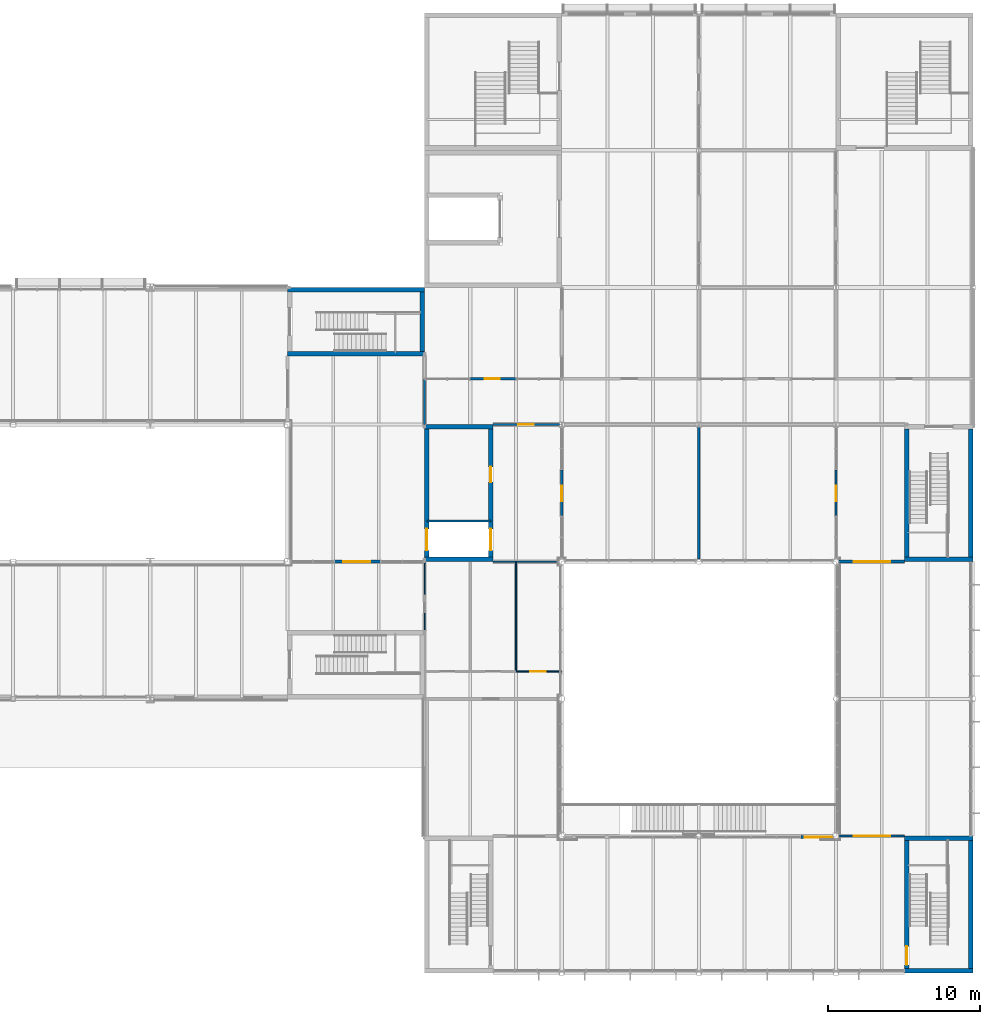
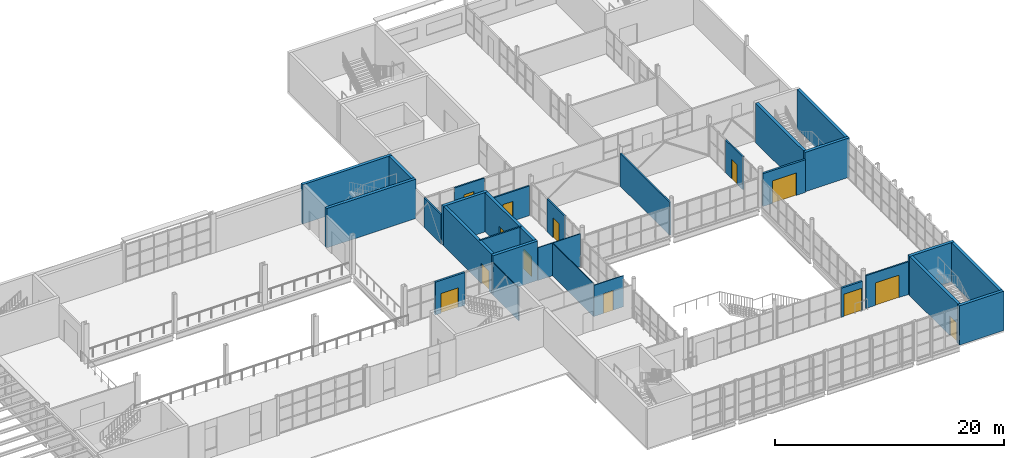
# One storey, part 35 of 57: 30 walls, 13 doors, 13 openings.
"""IFC4 building model written with IfcOpenShell, lengths in metres."""

from ifc_helpers import new_model, si_unit, direction, frame, frame_2d, origin, place, context, subcontext, project, spatial, rectangle, extrude, material, layer, layer_set, type_object, element, fill, save


model = new_model("IFC4")

# Units and contexts
model_context = context("Model", 3, precision=1e-05, world=origin(), true_north=direction((0.0, 1.0)))
body_context = subcontext(model_context, "Body", "Model", "MODEL_VIEW")
ifc_project = project(units=[si_unit("LENGTHUNIT", "METRE"), si_unit("AREAUNIT", "SQUARE_METRE"), si_unit("VOLUMEUNIT", "CUBIC_METRE"), si_unit("PLANEANGLEUNIT", "RADIAN"), si_unit("MASSUNIT", "GRAM", prefix="KILO")], contexts=[model_context])

# Site, building, storey
site_placement = place(None, origin())
site = spatial("IfcSite", under=ifc_project, at=site_placement, CompositionType="ELEMENT")
building_placement = place(site_placement, origin())
building = spatial("IfcBuilding", under=site, at=building_placement, Name="Halyard Row Museum", CompositionType="ELEMENT")
storey_placement = place(building_placement, frame((0.0, 0.0, 5.0)))
storey = spatial("IfcBuildingStorey", under=building, at=storey_placement, Name="L01", CompositionType="ELEMENT", Elevation=5.0)

# Wall
ifc_material_1 = material(Name="Plasterboard on steel studs with mineral wool", Category="steel")
ifc_layer_1 = layer(ifc_material_1, 0.14990234375)
ifc_layer_set_1 = layer_set([ifc_layer_1], Name="Plasterboard on steel studs with mineral wool")
wall_type_1 = type_object("IfcWallType", Name="Acoustic stud partition 150", PredefinedType="PARTITIONING", material=ifc_layer_set_1)
wall_1_placement = place(storey_placement, frame((90.0, 27.177734375, 0.0), z_axis=(0.0, 0.0, 1.0), x_axis=(0.0, 1.0, 0.0)))
element("IfcWall", 1, at=wall_1_placement, inside=storey, type_object=wall_type_1, Name="Partition Education Studio L01 / Community Room", PredefinedType="PARTITIONING", context=body_context, shape_type="SweptSolid", body=[
    extrude(rectangle(XDim=8.661865234375, YDim=0.14990234375, at=frame_2d((4.3310546875, 0.0))), origin(), (0.0, 0.0, 1.0), 3.501953125),
])

# Wall, opening, door
ifc_material_2 = material(Name="Plasterboard on steel studs with mineral wool", Category="steel")
ifc_layer_2 = layer(ifc_material_2, 0.14990234375)
ifc_layer_set_2 = layer_set([ifc_layer_2], Name="Plasterboard on steel studs with mineral wool")
wall_type_2 = type_object("IfcWallType", Name="Acoustic stud partition 150 fire rated", PredefinedType="PARTITIONING", material=ifc_layer_set_2)
wall_2_placement = place(storey_placement, frame((81.0, 30.019775390625, 0.0), z_axis=(0.0, 0.0, 1.0), x_axis=(0.0, 1.0, 0.0)))
wall_2 = element("IfcWall", 2, at=wall_2_placement, inside=storey, type_object=wall_type_2, Name="Partition Lift Lobby L01 East / Education Studio L01", PredefinedType="PARTITIONING", context=body_context, shape_type="SweptSolid", body=[
    extrude(rectangle(XDim=3.0, YDim=0.14990234375, at=frame_2d((1.5, 0.0))), origin(), (0.0, 0.0, 1.0), 3.501953125),
])
opening_1_placement = place(wall_2_placement, frame((0.949951171875, 0.0, 0.0)))
opening_1 = element("IfcOpeningElement", 3, at=opening_1_placement, cuts=wall_2, Name="Opening DL01-030", PredefinedType="OPENING", context=body_context, shape_type="SweptSolid", body=[
    extrude(rectangle(XDim=1.0, YDim=2.10009765625, at=frame_2d((0.5, 1.050048828125))), frame((0.0, 0.0849609375, 0.0), z_axis=(0.0, -1.0, 0.0), x_axis=(1.0, 0.0, 0.0)), (0.0, 0.0, 1.0), 0.169921875),
])
ifc_material_3 = material(Name="Timber veneered door leaf and softwood frame", Category="wood")
door_type_1 = type_object("IfcDoorType", Name="Single door 1000 x 2100 fire rated", OperationType="NOTDEFINED", PredefinedType="DOOR", material=ifc_material_3)
door_1_placement = place(opening_1_placement, frame((1.0, 0.0, 0.0), z_axis=(0.0, 0.0, 1.0), x_axis=(-1.0, 0.0, 0.0)))
door_1 = element("IfcDoor", 4, at=door_1_placement, inside=storey, type_object=door_type_1, Name="Door Education Studio L01 to Lift Lobby L01 East", OperationType="SINGLE_SWING_RIGHT", OverallHeight=2.10009765625, OverallWidth=1.0, PredefinedType="DOOR", context=body_context, shape_type="SweptSolid", body=[
    extrude(rectangle(XDim=1.0, YDim=2.10009765625, at=frame_2d((0.5, 1.050048828125))), frame((0.0, 0.02490234375, 0.0), z_axis=(0.0, -1.0, 0.0), x_axis=(1.0, 0.0, 0.0)), (0.0, 0.0, 1.0), 0.050048828125),
])
fill(opening_1, door_1)

wall_3_placement = place(storey_placement, frame((99.0, 30.019775390625, 0.0), z_axis=(0.0, 0.0, 1.0), x_axis=(0.0, 1.0, 0.0)))
wall_3 = element("IfcWall", 5, at=wall_3_placement, inside=storey, type_object=wall_type_2, Name="Partition Community Room / Stair Lobby K2C L01", PredefinedType="PARTITIONING", context=body_context, shape_type="SweptSolid", body=[
    extrude(rectangle(XDim=3.0, YDim=0.14990234375, at=frame_2d((1.5, 0.0))), origin(), (0.0, 0.0, 1.0), 3.501953125),
])
opening_2_placement = place(wall_3_placement, frame((0.949951171875, 0.0, 0.0)))
opening_2 = element("IfcOpeningElement", 6, at=opening_2_placement, cuts=wall_3, Name="Opening DL01-031", PredefinedType="OPENING", context=body_context, shape_type="SweptSolid", body=[
    extrude(rectangle(XDim=1.0, YDim=2.10009765625, at=frame_2d((0.5, 1.050048828125))), frame((0.0, 0.0849609375, 0.0), z_axis=(0.0, -1.0, 0.0), x_axis=(1.0, 0.0, 0.0)), (0.0, 0.0, 1.0), 0.169921875),
])
door_2_placement = place(opening_2_placement, origin())
door_2 = element("IfcDoor", 7, at=door_2_placement, inside=storey, type_object=door_type_1, Name="Door Community Room to Stair Lobby K2C L01", OperationType="SINGLE_SWING_RIGHT", OverallHeight=2.10009765625, OverallWidth=1.0, PredefinedType="DOOR", context=body_context, shape_type="SweptSolid", body=[
    extrude(rectangle(XDim=1.0, YDim=2.10009765625, at=frame_2d((0.5, 1.050048828125))), frame((0.0, 0.02490234375, 0.0), z_axis=(0.0, -1.0, 0.0), x_axis=(1.0, 0.0, 0.0)), (0.0, 0.0, 1.0), 0.050048828125),
])
fill(opening_2, door_2)

# Wall
ifc_material_4 = material(Name="Fire-resisting plasterboard on steel studs", Category="steel")
ifc_layer_3 = layer(ifc_material_4, 0.14990234375)
ifc_layer_set_3 = layer_set([ifc_layer_3], Name="Fire-resisting plasterboard on steel studs")
wall_type_3 = type_object("IfcWallType", Name="Compartment wall 150 fire rated", PredefinedType="PARTITIONING", material=ifc_layer_set_3)
wall_4_placement = place(storey_placement, frame((72.0, 36.0, 0.0), z_axis=(0.0, 0.0, 1.0), x_axis=(0.0, 1.0, 0.0)))
element("IfcWall", 8, at=wall_4_placement, inside=storey, type_object=wall_type_3, Name="Partition Lift Lobby L01 West / Conservation Route", PredefinedType="PARTITIONING", context=body_context, shape_type="SweptSolid", body=[
    extrude(rectangle(XDim=3.0, YDim=0.14990234375, at=frame_2d((1.5, 0.0))), origin(), (0.0, 0.0, 1.0), 3.157958984375),
])

# Wall, opening, door
wall_5_placement = place(storey_placement, frame((76.5, 36.0, 0.0), z_axis=(0.0, 0.0, 1.0), x_axis=(1.0, 0.0, 0.0)))
wall_5 = element("IfcWall", 9, at=wall_5_placement, inside=storey, type_object=wall_type_3, Name="Partition Lift Lobby L01 East / Conservation Route", PredefinedType="PARTITIONING", context=body_context, shape_type="SweptSolid", body=[
    extrude(rectangle(XDim=4.344482421875, YDim=0.14990234375, at=frame_2d((2.17236328125, 0.0))), origin(), (0.0, 0.0, 1.0), 3.157958984375),
])
opening_3_placement = place(wall_5_placement, frame((1.655029296875, 0.0, 0.0)))
opening_3 = element("IfcOpeningElement", 10, at=opening_3_placement, cuts=wall_5, Name="Opening DL01-022", PredefinedType="OPENING", context=body_context, shape_type="SweptSolid", body=[
    extrude(rectangle(XDim=1.0, YDim=2.10009765625, at=frame_2d((0.5, 1.050048828125))), frame((0.0, 0.0849609375, 0.0), z_axis=(0.0, -1.0, 0.0), x_axis=(1.0, 0.0, 0.0)), (0.0, 0.0, 1.0), 0.169921875),
])
ifc_material_5 = material(Name="Fire-resisting timber door leaf and steel frame", Category="steel")
door_type_2 = type_object("IfcDoorType", Name="Compartment door 1000 x 2100 fire rated", OperationType="NOTDEFINED", PredefinedType="DOOR", material=ifc_material_5)
door_3_placement = place(opening_3_placement, origin())
door_3 = element("IfcDoor", 11, at=door_3_placement, inside=storey, type_object=door_type_2, Name="Door Lift Lobby L01 East to Conservation Route", OperationType="SINGLE_SWING_LEFT", OverallHeight=2.10009765625, OverallWidth=1.0, PredefinedType="DOOR", context=body_context, shape_type="SweptSolid", body=[
    extrude(rectangle(XDim=1.0, YDim=2.10009765625, at=frame_2d((0.5, 1.050048828125))), frame((0.0, 0.02490234375, 0.0), z_axis=(0.0, -1.0, 0.0), x_axis=(1.0, 0.0, 0.0)), (0.0, 0.0, 1.0), 0.050048828125),
])
fill(opening_3, door_3)

wall_6_placement = place(storey_placement, frame((75.0, 39.0, 0.0), z_axis=(0.0, 0.0, 1.0), x_axis=(1.0, 0.0, 0.0)))
wall_6 = element("IfcWall", 12, at=wall_6_placement, inside=storey, type_object=wall_type_3, Name="Partition Conservation Route / Paper Conservation Laboratory", PredefinedType="PARTITIONING", context=body_context, shape_type="SweptSolid", body=[
    extrude(rectangle(XDim=3.0, YDim=0.14990234375, at=frame_2d((1.5, 0.0))), origin(), (0.0, 0.0, 1.0), 3.157958984375),
])
opening_4_placement = place(wall_6_placement, frame((0.949951171875, 0.0, 0.0)))
opening_4 = element("IfcOpeningElement", 13, at=opening_4_placement, cuts=wall_6, Name="Opening DL01-032", PredefinedType="OPENING", context=body_context, shape_type="SweptSolid", body=[
    extrude(rectangle(XDim=1.0, YDim=2.10009765625, at=frame_2d((0.5, 1.050048828125))), frame((0.0, 0.0849609375, 0.0), z_axis=(0.0, -1.0, 0.0), x_axis=(1.0, 0.0, 0.0)), (0.0, 0.0, 1.0), 0.169921875),
])
door_4_placement = place(opening_4_placement, origin())
door_4 = element("IfcDoor", 14, at=door_4_placement, inside=storey, type_object=door_type_2, Name="Door Paper Conservation Laboratory to Conservation Route", OperationType="SINGLE_SWING_LEFT", OverallHeight=2.10009765625, OverallWidth=1.0, PredefinedType="DOOR", context=body_context, shape_type="SweptSolid", body=[
    extrude(rectangle(XDim=1.0, YDim=2.10009765625, at=frame_2d((0.5, 1.050048828125))), frame((0.0, 0.02490234375, 0.0), z_axis=(0.0, -1.0, 0.0), x_axis=(1.0, 0.0, 0.0)), (0.0, 0.0, 1.0), 0.050048828125),
])
fill(opening_4, door_4)

# Wall
ifc_material_6 = material(Name="Concrete 40 MPa", Category="concrete")
ifc_layer_4 = layer(ifc_material_6, 0.300048828125)
ifc_layer_set_4 = layer_set([ifc_layer_4], Name="Concrete 40 MPa")
wall_type_4 = type_object("IfcWallType", Name="Core wall 300 lift shaft", PredefinedType="SOLIDWALL", material=ifc_layer_set_4)
wall_7_placement = place(storey_placement, frame((72.0, 27.14990234375, 0.0), z_axis=(0.0, 0.0, 1.0), x_axis=(1.0, 0.0, 0.0)))
element("IfcWall", 15, at=wall_7_placement, inside=storey, type_object=wall_type_4, Name="Core wall K7 S L01", PredefinedType="SOLIDWALL", context=body_context, shape_type="SweptSolid", body=[
    extrude(rectangle(XDim=4.5, YDim=0.300048828125, at=frame_2d((2.25, 0.0))), origin(), (0.0, 0.0, 1.0), 4.199951171875),
])

# Wall, openings, doors
wall_8_placement = place(storey_placement, frame((76.35009765625, 27.300048828125, 0.0), z_axis=(0.0, 0.0, 1.0), x_axis=(0.0, 1.0, 0.0)))
wall_8 = element("IfcWall", 16, at=wall_8_placement, inside=storey, type_object=wall_type_4, Name="Core wall K7 E L01", PredefinedType="SOLIDWALL", context=body_context, shape_type="SweptSolid", body=[
    extrude(rectangle(XDim=8.39990234375, YDim=0.300048828125, at=frame_2d((4.199951171875, 0.0))), origin(), (0.0, 0.0, 1.0), 4.199951171875),
])
opening_5_placement = place(wall_8_placement, frame((0.449951171875, 0.0, 0.0)))
opening_5 = element("IfcOpeningElement", 17, at=opening_5_placement, cuts=wall_8, Name="Opening LDPL1-L01", PredefinedType="OPENING", context=body_context, shape_type="SweptSolid", body=[
    extrude(rectangle(XDim=1.39990234375, YDim=2.10009765625, at=frame_2d((0.699951171875, 1.050048828125))), frame((0.0, 0.159912109375, 0.0), z_axis=(0.0, -1.0, 0.0), x_axis=(1.0, 0.0, 0.0)), (0.0, 0.0, 1.0), 0.320068359375),
])
opening_6_placement = place(wall_8_placement, frame((4.925048828125, 0.0, 0.0)))
opening_6 = element("IfcOpeningElement", 18, at=opening_6_placement, cuts=wall_8, Name="Opening DL01-013", PredefinedType="OPENING", context=body_context, shape_type="SweptSolid", body=[
    extrude(rectangle(XDim=1.0, YDim=2.10009765625, at=frame_2d((0.5, 1.050048828125))), frame((0.0, 0.159912109375, 0.0), z_axis=(0.0, -1.0, 0.0), x_axis=(1.0, 0.0, 0.0)), (0.0, 0.0, 1.0), 0.320068359375),
])
ifc_material_7 = material(Name="Stainless steel sliding car and landing doors", Category="steel")
door_type_3 = type_object("IfcDoorType", Name="Lift landing door 1400 x 2100", OperationType="SLIDING_TO_LEFT", PredefinedType="DOOR", material=ifc_material_7)
door_5_placement = place(opening_5_placement, origin())
door_5 = element("IfcDoor", 19, at=door_5_placement, inside=storey, type_object=door_type_3, Name="Landing door PL1 E L01", OperationType="SLIDING_TO_LEFT", OverallHeight=2.10009765625, OverallWidth=1.39990234375, PredefinedType="DOOR", context=body_context, shape_type="SweptSolid", body=[
    extrude(rectangle(XDim=1.39990234375, YDim=2.10009765625, at=frame_2d((0.699951171875, 1.050048828125))), frame((0.0, 0.02490234375, 0.0), z_axis=(0.0, -1.0, 0.0), x_axis=(1.0, 0.0, 0.0)), (0.0, 0.0, 1.0), 0.050048828125),
])
fill(opening_5, door_5)
ifc_material_8 = material(Name="Galvanised steel door leaf and frame", Category="steel")
door_type_4 = type_object("IfcDoorType", Name="Riser door 1000 x 2100 fire rated", OperationType="NOTDEFINED", PredefinedType="DOOR", material=ifc_material_8)
door_6_placement = place(opening_6_placement, frame((1.0, 0.0, 0.0), z_axis=(0.0, 0.0, 1.0), x_axis=(-1.0, 0.0, 0.0)))
door_6 = element("IfcDoor", 20, at=door_6_placement, inside=storey, type_object=door_type_4, Name="Riser door K7 L01", OperationType="SINGLE_SWING_RIGHT", OverallHeight=2.10009765625, OverallWidth=1.0, PredefinedType="DOOR", context=body_context, shape_type="SweptSolid", body=[
    extrude(rectangle(XDim=1.0, YDim=2.10009765625, at=frame_2d((0.5, 1.050048828125))), frame((0.0, 0.02490234375, 0.0), z_axis=(0.0, -1.0, 0.0), x_axis=(1.0, 0.0, 0.0)), (0.0, 0.0, 1.0), 0.050048828125),
])
fill(opening_6, door_6)

# Wall
wall_9_placement = place(storey_placement, frame((72.0, 35.85009765625, 0.0), z_axis=(0.0, 0.0, 1.0), x_axis=(1.0, 0.0, 0.0)))
element("IfcWall", 21, at=wall_9_placement, inside=storey, type_object=wall_type_4, Name="Core wall K7 N L01", PredefinedType="SOLIDWALL", context=body_context, shape_type="SweptSolid", body=[
    extrude(rectangle(XDim=4.5, YDim=0.300048828125, at=frame_2d((2.25, 0.0))), origin(), (0.0, 0.0, 1.0), 4.199951171875),
])

# Wall, opening, door
wall_10_placement = place(storey_placement, frame((72.14990234375, 27.300048828125, 0.0), z_axis=(0.0, 0.0, 1.0), x_axis=(0.0, 1.0, 0.0)))
wall_10 = element("IfcWall", 22, at=wall_10_placement, inside=storey, type_object=wall_type_4, Name="Core wall K7 W L01", PredefinedType="SOLIDWALL", context=body_context, shape_type="SweptSolid", body=[
    extrude(rectangle(XDim=8.39990234375, YDim=0.300048828125, at=frame_2d((4.199951171875, 0.0))), origin(), (0.0, 0.0, 1.0), 4.199951171875),
])
opening_7_placement = place(wall_10_placement, frame((0.449951171875, 0.0, 0.0)))
opening_7 = element("IfcOpeningElement", 23, at=opening_7_placement, cuts=wall_10, Name="Opening LDPL1W-L01", PredefinedType="OPENING", context=body_context, shape_type="SweptSolid", body=[
    extrude(rectangle(XDim=1.39990234375, YDim=2.10009765625, at=frame_2d((0.699951171875, 1.050048828125))), frame((0.0, 0.159912109375, 0.0), z_axis=(0.0, -1.0, 0.0), x_axis=(1.0, 0.0, 0.0)), (0.0, 0.0, 1.0), 0.320068359375),
])
door_7_placement = place(opening_7_placement, origin())
door_7 = element("IfcDoor", 24, at=door_7_placement, inside=storey, type_object=door_type_3, Name="Landing door PL1 W L01", OperationType="SLIDING_TO_RIGHT", OverallHeight=2.10009765625, OverallWidth=1.39990234375, PredefinedType="DOOR", context=body_context, shape_type="SweptSolid", body=[
    extrude(rectangle(XDim=1.39990234375, YDim=2.10009765625, at=frame_2d((0.699951171875, 1.050048828125))), frame((0.0, 0.02490234375, 0.0), z_axis=(0.0, -1.0, 0.0), x_axis=(1.0, 0.0, 0.0)), (0.0, 0.0, 1.0), 0.050048828125),
])
fill(opening_7, door_7)

# Walls
ifc_material_9 = material(Name="Concrete 40 MPa", Category="concrete")
ifc_layer_5 = layer(ifc_material_9, 0.300048828125)
ifc_layer_set_5 = layer_set([ifc_layer_5], Name="Concrete 40 MPa")
wall_type_5 = type_object("IfcWallType", Name="Exitway wall 300 reinforced concrete", PredefinedType="SOLIDWALL", material=ifc_layer_set_5)
wall_11_placement = place(storey_placement, frame((63.0, 40.64990234375, 0.0), z_axis=(0.0, 0.0, 1.0), x_axis=(1.0, 0.0, 0.0)))
element("IfcWall", 25, at=wall_11_placement, inside=storey, type_object=wall_type_5, Name="Core wall K1B S L01", PredefinedType="SOLIDWALL", context=body_context, shape_type="SweptSolid", body=[
    extrude(rectangle(XDim=9.0, YDim=0.300048828125, at=frame_2d((4.5, 0.0))), origin(), (0.0, 0.0, 1.0), 4.199951171875),
])
wall_12_placement = place(storey_placement, frame((71.85009765625, 40.800048828125, 0.0), z_axis=(0.0, 0.0, 1.0), x_axis=(0.0, 1.0, 0.0)))
element("IfcWall", 26, at=wall_12_placement, inside=storey, type_object=wall_type_5, Name="Core wall K1B E L01", PredefinedType="SOLIDWALL", context=body_context, shape_type="SweptSolid", body=[
    extrude(rectangle(XDim=3.89990234375, YDim=0.300048828125, at=frame_2d((1.949951171875, 0.0))), origin(), (0.0, 0.0, 1.0), 4.199951171875),
])
wall_13_placement = place(storey_placement, frame((63.0, 44.85009765625, 0.0), z_axis=(0.0, 0.0, 1.0), x_axis=(1.0, 0.0, 0.0)))
element("IfcWall", 27, at=wall_13_placement, inside=storey, type_object=wall_type_5, Name="Core wall K1B N L01", PredefinedType="SOLIDWALL", context=body_context, shape_type="SweptSolid", body=[
    extrude(rectangle(XDim=9.0, YDim=0.300048828125, at=frame_2d((4.5, 0.0))), origin(), (0.0, 0.0, 1.0), 4.199951171875),
])
wall_14_placement = place(storey_placement, frame((103.5, 0.14990234375, 0.0), z_axis=(0.0, 0.0, 1.0), x_axis=(1.0, 0.0, 0.0)))
element("IfcWall", 28, at=wall_14_placement, inside=storey, type_object=wall_type_5, Name="Core wall K2B S L01", PredefinedType="SOLIDWALL", context=body_context, shape_type="SweptSolid", body=[
    extrude(rectangle(XDim=4.5, YDim=0.300048828125, at=frame_2d((2.25, 0.0))), origin(), (0.0, 0.0, 1.0), 4.199951171875),
])
wall_15_placement = place(storey_placement, frame((107.85009765625, 0.300048828125, 0.0), z_axis=(0.0, 0.0, 1.0), x_axis=(0.0, 1.0, 0.0)))
element("IfcWall", 29, at=wall_15_placement, inside=storey, type_object=wall_type_5, Name="Core wall K2B E L01", PredefinedType="SOLIDWALL", context=body_context, shape_type="SweptSolid", body=[
    extrude(rectangle(XDim=8.39990234375, YDim=0.300048828125, at=frame_2d((4.199951171875, 0.0))), origin(), (0.0, 0.0, 1.0), 4.199951171875),
])
wall_16_placement = place(storey_placement, frame((103.5, 8.85009765625, 0.0), z_axis=(0.0, 0.0, 1.0), x_axis=(1.0, 0.0, 0.0)))
element("IfcWall", 30, at=wall_16_placement, inside=storey, type_object=wall_type_5, Name="Core wall K2B N L01", PredefinedType="SOLIDWALL", context=body_context, shape_type="SweptSolid", body=[
    extrude(rectangle(XDim=4.5, YDim=0.300048828125, at=frame_2d((2.25, 0.0))), origin(), (0.0, 0.0, 1.0), 4.199951171875),
])

# Wall, opening, door
wall_17_placement = place(storey_placement, frame((103.64990234375, 0.300048828125, 0.0), z_axis=(0.0, 0.0, 1.0), x_axis=(0.0, 1.0, 0.0)))
wall_17 = element("IfcWall", 31, at=wall_17_placement, inside=storey, type_object=wall_type_5, Name="Core wall K2B W L01", PredefinedType="SOLIDWALL", context=body_context, shape_type="SweptSolid", body=[
    extrude(rectangle(XDim=8.39990234375, YDim=0.300048828125, at=frame_2d((4.199951171875, 0.0))), origin(), (0.0, 0.0, 1.0), 4.199951171875),
])
opening_8_placement = place(wall_17_placement, frame((0.25, 0.0, 0.0)))
opening_8 = element("IfcOpeningElement", 32, at=opening_8_placement, cuts=wall_17, Name="Opening DL01-006", PredefinedType="OPENING", context=body_context, shape_type="SweptSolid", body=[
    extrude(rectangle(XDim=1.199951171875, YDim=2.10009765625, at=frame_2d((0.60009765625, 1.050048828125))), frame((0.0, 0.159912109375, 0.0), z_axis=(0.0, -1.0, 0.0), x_axis=(1.0, 0.0, 0.0)), (0.0, 0.0, 1.0), 0.320068359375),
])
ifc_material_10 = material(Name="Fire-resisting timber door leaf and steel frame", Category="steel")
door_type_5 = type_object("IfcDoorType", Name="Exitway door 1200 x 2100 fire rated", OperationType="NOTDEFINED", PredefinedType="DOOR", material=ifc_material_10)
door_8_placement = place(opening_8_placement, frame((1.199951171875, 0.0, 0.0), z_axis=(0.0, 0.0, 1.0), x_axis=(-1.0, 0.0, 0.0)))
door_8 = element("IfcDoor", 33, at=door_8_placement, inside=storey, type_object=door_type_5, Name="Exitway door K2B L01", OperationType="SINGLE_SWING_LEFT", OverallHeight=2.10009765625, OverallWidth=1.199951171875, PredefinedType="DOOR", context=body_context, shape_type="SweptSolid", body=[
    extrude(rectangle(XDim=1.199951171875, YDim=2.10009765625, at=frame_2d((0.60009765625, 1.050048828125))), frame((0.0, 0.02490234375, 0.0), z_axis=(0.0, -1.0, 0.0), x_axis=(1.0, 0.0, 0.0)), (0.0, 0.0, 1.0), 0.050048828125),
])
fill(opening_8, door_8)

# Walls
wall_18_placement = place(storey_placement, frame((103.5, 27.14990234375, 0.0), z_axis=(0.0, 0.0, 1.0), x_axis=(1.0, 0.0, 0.0)))
element("IfcWall", 34, at=wall_18_placement, inside=storey, type_object=wall_type_5, Name="Core wall K2C S L01", PredefinedType="SOLIDWALL", context=body_context, shape_type="SweptSolid", body=[
    extrude(rectangle(XDim=4.5, YDim=0.300048828125, at=frame_2d((2.25, 0.0))), origin(), (0.0, 0.0, 1.0), 4.199951171875),
])
for number, where, z_axis, x_axis, name in (
    (35, (107.85009765625, 27.300048828125, 0.0), (0.0, 0.0, 1.0), (0.0, 1.0, 0.0), "Core wall K2C E L01"),
    (36, (103.64990234375, 27.300048828125, 0.0), (0.0, 0.0, 1.0), (0.0, 1.0, 0.0), "Core wall K2C W L01"),
):
    element("IfcWall", number, at=place(storey_placement, frame(where, z_axis=z_axis, x_axis=x_axis)), inside=storey, type_object=wall_type_5, Name=name, PredefinedType="SOLIDWALL", context=body_context, shape_type="SweptSolid", body=[
        extrude(rectangle(XDim=8.39990234375, YDim=0.300048828125, at=frame_2d((4.199951171875, 0.0))), origin(), (0.0, 0.0, 1.0), 4.199951171875),
    ])

# Wall, opening, door
ifc_material_11 = material(Name="Powder-coated aluminium section", Category="aluminium")
ifc_layer_6 = layer(ifc_material_11, 0.199951171875)
ifc_layer_set_6 = layer_set([ifc_layer_6], Name="Powder-coated aluminium section")
wall_type_6 = type_object("IfcWallType", Name="Fire-resisting screen frame 200", PredefinedType="SOLIDWALL", material=ifc_layer_set_6)
wall_19_placement = place(storey_placement, frame((96.699951171875, 8.919921875, 0.0), z_axis=(0.0, 0.0, 1.0), x_axis=(1.0, 0.0, 0.0)))
wall_19 = element("IfcWall", 37, at=wall_19_placement, inside=storey, type_object=wall_type_6, Name="Wall WL01-816", PredefinedType="SOLIDWALL", context=body_context, shape_type="SweptSolid", body=[
    extrude(rectangle(XDim=2.096923828125, YDim=0.199951171875, at=frame_2d((1.04833984375, 0.0))), origin(), (0.0, 0.0, 1.0), 3.12451171875),
])
opening_9_placement = place(wall_19_placement, frame((0.246826171875, 0.0, 0.0)))
opening_9 = element("IfcOpeningElement", 38, at=opening_9_placement, cuts=wall_19, Name="Opening DL01-401", PredefinedType="OPENING", context=body_context, shape_type="SweptSolid", body=[
    extrude(rectangle(XDim=1.800048828125, YDim=2.39990234375, at=frame_2d((0.89990234375, 1.199951171875))), frame((0.0, 0.10986328125, 0.0), z_axis=(0.0, -1.0, 0.0), x_axis=(1.0, 0.0, 0.0)), (0.0, 0.0, 1.0), 0.219970703125),
])
ifc_material_12 = material(Name="Powder-coated aluminium section", Category="aluminium")
door_type_6 = type_object("IfcDoorType", Name="Door DE4 atrium screen 1800 x 2400", OperationType="NOTDEFINED", PredefinedType="DOOR", material=ifc_material_12)
door_9_placement = place(opening_9_placement, frame((1.800048828125, 0.0, 0.0), z_axis=(0.0, 0.0, 1.0), x_axis=(-1.0, 0.0, 0.0)))
door_9 = element("IfcDoor", 39, at=door_9_placement, inside=storey, type_object=door_type_6, Name="Door DL01-401", OperationType="DOUBLE_DOOR_SINGLE_SWING", OverallHeight=2.39990234375, OverallWidth=1.800048828125, PredefinedType="DOOR", context=body_context, shape_type="SweptSolid", body=[
    extrude(rectangle(XDim=1.800048828125, YDim=2.39990234375, at=frame_2d((0.89990234375, 1.199951171875))), frame((0.0, 0.02490234375, 0.0), z_axis=(0.0, -1.0, 0.0), x_axis=(1.0, 0.0, 0.0)), (0.0, 0.0, 1.0), 0.050048828125),
])
fill(opening_9, door_9)

ifc_material_13 = material(Name="Plasterboard on steel studs with mineral wool", Category="steel")
ifc_layer_7 = layer(ifc_material_13, 0.14990234375)
ifc_layer_set_7 = layer_set([ifc_layer_7], Name="Plasterboard on steel studs with mineral wool")
wall_type_7 = type_object("IfcWallType", Name="Gallery wall 150", PredefinedType="PARTITIONING", material=ifc_layer_set_7)
wall_20_placement = place(storey_placement, frame((99.203125, 9.0, 0.0), z_axis=(0.0, 0.0, 1.0), x_axis=(1.0, 0.0, 0.0)))
wall_20 = element("IfcWall", 40, at=wall_20_placement, inside=storey, type_object=wall_type_7, Name="Partition Permanent Gallery Voyages / Permanent Gallery Trade", PredefinedType="PARTITIONING", context=body_context, shape_type="SweptSolid", body=[
    extrude(rectangle(XDim=4.296875, YDim=0.14990234375, at=frame_2d((2.1484375, 0.0))), origin(), (0.0, 0.0, 1.0), 3.501953125),
])
opening_10_placement = place(wall_20_placement, frame((0.949951171875, 0.0, 0.0)))
opening_10 = element("IfcOpeningElement", 41, at=opening_10_placement, cuts=wall_20, Name="Opening DL01-020", PredefinedType="OPENING", context=body_context, shape_type="SweptSolid", body=[
    extrude(rectangle(XDim=2.39990234375, YDim=2.39990234375, at=frame_2d((1.199951171875, 1.199951171875))), frame((0.0, 0.0849609375, 0.0), z_axis=(0.0, -1.0, 0.0), x_axis=(1.0, 0.0, 0.0)), (0.0, 0.0, 1.0), 0.169921875),
])
ifc_material_14 = material(Name="Timber veneered door leaf and softwood frame", Category="wood")
door_type_7 = type_object("IfcDoorType", Name="Double door 2400 x 2400 gallery", OperationType="NOTDEFINED", PredefinedType="DOOR", material=ifc_material_14)
door_10_placement = place(opening_10_placement, frame((2.39990234375, 0.0, 0.0), z_axis=(0.0, 0.0, 1.0), x_axis=(-1.0, 0.0, 0.0)))
door_10 = element("IfcDoor", 42, at=door_10_placement, inside=storey, type_object=door_type_7, Name="Door Permanent Gallery Voyages to Permanent Gallery Trade", OperationType="DOUBLE_DOOR_SINGLE_SWING", OverallHeight=2.39990234375, OverallWidth=2.39990234375, PredefinedType="DOOR", context=body_context, shape_type="SweptSolid", body=[
    extrude(rectangle(XDim=2.39990234375, YDim=2.39990234375, at=frame_2d((1.199951171875, 1.199951171875))), frame((0.0, 0.02490234375, 0.0), z_axis=(0.0, -1.0, 0.0), x_axis=(1.0, 0.0, 0.0)), (0.0, 0.0, 1.0), 0.050048828125),
])
fill(opening_10, door_10)

ifc_material_15 = material(Name="Plasterboard on steel studs with mineral wool", Category="steel")
ifc_layer_8 = layer(ifc_material_15, 0.199951171875)
ifc_layer_set_8 = layer_set([ifc_layer_8], Name="Plasterboard on steel studs with mineral wool")
wall_type_8 = type_object("IfcWallType", Name="Gallery wall 200 double stud fire rated", PredefinedType="PARTITIONING", material=ifc_layer_set_8)
wall_21_placement = place(storey_placement, frame((66.10009765625, 27.0, 0.0), z_axis=(0.0, 0.0, 1.0), x_axis=(1.0, 0.0, 0.0)))
wall_21 = element("IfcWall", 43, at=wall_21_placement, inside=storey, type_object=wall_type_8, Name="Partition Permanent Gallery Pacific / Lift Lobby L01 West", PredefinedType="PARTITIONING", context=body_context, shape_type="SweptSolid", body=[
    extrude(rectangle(XDim=3.0, YDim=0.199951171875, at=frame_2d((1.5, 0.0))), origin(), (0.0, 0.0, 1.0), 3.501953125),
])
opening_11_placement = place(wall_21_placement, frame((0.550048828125, 0.0, 0.0)))
opening_11 = element("IfcOpeningElement", 44, at=opening_11_placement, cuts=wall_21, Name="Opening DL01-016", PredefinedType="OPENING", context=body_context, shape_type="SweptSolid", body=[
    extrude(rectangle(XDim=1.800048828125, YDim=2.10009765625, at=frame_2d((0.89990234375, 1.050048828125))), frame((0.0, 0.10986328125, 0.0), z_axis=(0.0, -1.0, 0.0), x_axis=(1.0, 0.0, 0.0)), (0.0, 0.0, 1.0), 0.219970703125),
])
ifc_material_16 = material(Name="Timber veneered door leaf and softwood frame", Category="wood")
door_type_8 = type_object("IfcDoorType", Name="Double door 1800 x 2100 fire rated", OperationType="NOTDEFINED", PredefinedType="DOOR", material=ifc_material_16)
door_11_placement = place(opening_11_placement, frame((1.800048828125, 0.0, 0.0), z_axis=(0.0, 0.0, 1.0), x_axis=(-1.0, 0.0, 0.0)))
door_11 = element("IfcDoor", 45, at=door_11_placement, inside=storey, type_object=door_type_8, Name="Door Permanent Gallery Pacific to Lift Lobby L01 West", OperationType="DOUBLE_DOOR_SINGLE_SWING", OverallHeight=2.10009765625, OverallWidth=1.800048828125, PredefinedType="DOOR", context=body_context, shape_type="SweptSolid", body=[
    extrude(rectangle(XDim=1.800048828125, YDim=2.10009765625, at=frame_2d((0.89990234375, 1.050048828125))), frame((0.0, 0.02490234375, 0.0), z_axis=(0.0, -1.0, 0.0), x_axis=(1.0, 0.0, 0.0)), (0.0, 0.0, 1.0), 0.050048828125),
])
fill(opening_11, door_11)

wall_22_placement = place(storey_placement, frame((99.203125, 27.0, 0.0), z_axis=(0.0, 0.0, 1.0), x_axis=(1.0, 0.0, 0.0)))
wall_22 = element("IfcWall", 46, at=wall_22_placement, inside=storey, type_object=wall_type_8, Name="Partition Permanent Gallery Trade / Stair Lobby K2C L01", PredefinedType="PARTITIONING", context=body_context, shape_type="SweptSolid", body=[
    extrude(rectangle(XDim=4.296875, YDim=0.199951171875, at=frame_2d((2.1484375, 0.0))), origin(), (0.0, 0.0, 1.0), 3.501953125),
])
opening_12_placement = place(wall_22_placement, frame((0.949951171875, 0.0, 0.0)))
opening_12 = element("IfcOpeningElement", 47, at=opening_12_placement, cuts=wall_22, Name="Opening DL01-021", PredefinedType="OPENING", context=body_context, shape_type="SweptSolid", body=[
    extrude(rectangle(XDim=2.39990234375, YDim=2.39990234375, at=frame_2d((1.199951171875, 1.199951171875))), frame((0.0, 0.10986328125, 0.0), z_axis=(0.0, -1.0, 0.0), x_axis=(1.0, 0.0, 0.0)), (0.0, 0.0, 1.0), 0.219970703125),
])
ifc_material_17 = material(Name="Timber veneered door leaf and softwood frame", Category="wood")
door_type_9 = type_object("IfcDoorType", Name="Double door 2400 x 2400 gallery fire rated", OperationType="NOTDEFINED", PredefinedType="DOOR", material=ifc_material_17)
door_12_placement = place(opening_12_placement, frame((2.39990234375, 0.0, 0.0), z_axis=(0.0, 0.0, 1.0), x_axis=(-1.0, 0.0, 0.0)))
door_12 = element("IfcDoor", 48, at=door_12_placement, inside=storey, type_object=door_type_9, Name="Door Permanent Gallery Trade to Stair Lobby K2C L01", OperationType="DOUBLE_DOOR_SINGLE_SWING", OverallHeight=2.39990234375, OverallWidth=2.39990234375, PredefinedType="DOOR", context=body_context, shape_type="SweptSolid", body=[
    extrude(rectangle(XDim=2.39990234375, YDim=2.39990234375, at=frame_2d((1.199951171875, 1.199951171875))), frame((0.0, 0.02490234375, 0.0), z_axis=(0.0, -1.0, 0.0), x_axis=(1.0, 0.0, 0.0)), (0.0, 0.0, 1.0), 0.050048828125),
])
fill(opening_12, door_12)

# Walls
ifc_material_18 = material(Name="Concrete 40 MPa", Category="concrete")
ifc_layer_9 = layer(ifc_material_18, 0.14990234375)
ifc_layer_set_9 = layer_set([ifc_layer_9], Name="Concrete 40 MPa")
wall_type_9 = type_object("IfcWallType", Name="Lift shaft divider 150", PredefinedType="SOLIDWALL", material=ifc_layer_set_9)
wall_23_placement = place(storey_placement, frame((72.14990234375, 29.675048828125, 0.0), z_axis=(0.0, 0.0, 1.0), x_axis=(1.0, 0.0, 0.0)))
element("IfcWall", 49, at=wall_23_placement, inside=storey, type_object=wall_type_9, Name="Shaft divider PL1 L01", PredefinedType="SOLIDWALL", context=body_context, shape_type="SweptSolid", body=[
    extrude(rectangle(XDim=4.2001953125, YDim=0.14990234375, at=frame_2d((2.10009765625, 0.0))), origin(), (0.0, 0.0, 1.0), 4.199951171875),
])
ifc_material_19 = material(Name="Plasterboard on steel studs with mineral wool", Category="steel")
ifc_layer_10 = layer(ifc_material_19, 0.074951171875)
ifc_layer_set_10 = layer_set([ifc_layer_10], Name="Plasterboard on steel studs with mineral wool")
wall_type_10 = type_object("IfcWallType", Name="WC cubicle partition 75", PredefinedType="PARTITIONING", material=ifc_layer_set_10)
wall_24_placement = place(storey_placement, frame((72.0, 22.5, 0.0), z_axis=(0.0, 0.0, 1.0), x_axis=(0.0, 1.0, 0.0)))
element("IfcWall", 50, at=wall_24_placement, inside=storey, type_object=wall_type_10, Name="Partition Permanent Gallery Pacific / WC Women L01", PredefinedType="PARTITIONING", context=body_context, shape_type="SweptSolid", body=[
    extrude(rectangle(XDim=4.5, YDim=0.074951171875, at=frame_2d((2.25, 0.0))), origin(), (0.0, 0.0, 1.0), 3.501953125),
])
wall_25_placement = place(storey_placement, frame((78.0, 19.800048828125, 0.0), z_axis=(0.0, 0.0, 1.0), x_axis=(0.0, 1.0, 0.0)))
element("IfcWall", 51, at=wall_25_placement, inside=storey, type_object=wall_type_10, Name="Partition WC Men L01 / Accessible WC L01", PredefinedType="PARTITIONING", context=body_context, shape_type="SweptSolid", body=[
    extrude(rectangle(XDim=7.199951171875, YDim=0.074951171875, at=frame_2d((3.60009765625, 0.0))), origin(), (0.0, 0.0, 1.0), 3.501953125),
])
ifc_material_20 = material(Name="Plasterboard on steel studs with mineral wool", Category="steel")
ifc_layer_11 = layer(ifc_material_20, 0.074951171875)
ifc_layer_set_11 = layer_set([ifc_layer_11], Name="Plasterboard on steel studs with mineral wool")
wall_type_11 = type_object("IfcWallType", Name="WC cubicle partition 75 fire rated", PredefinedType="PARTITIONING", material=ifc_layer_set_11)
wall_26_placement = place(storey_placement, frame((76.5, 27.0, 0.0), z_axis=(0.0, 0.0, 1.0), x_axis=(1.0, 0.0, 0.0)))
element("IfcWall", 52, at=wall_26_placement, inside=storey, type_object=wall_type_11, Name="Partition Lift Lobby L01 East / WC Men L01", PredefinedType="PARTITIONING", context=body_context, shape_type="SweptSolid", body=[
    extrude(rectangle(XDim=1.5, YDim=0.074951171875, at=frame_2d((0.75, 0.0))), origin(), (0.0, 0.0, 1.0), 3.501953125),
])
wall_27_placement = place(storey_placement, frame((78.0, 27.0, 0.0), z_axis=(0.0, 0.0, 1.0), x_axis=(1.0, 0.0, 0.0)))
element("IfcWall", 53, at=wall_27_placement, inside=storey, type_object=wall_type_11, Name="Partition Lift Lobby L01 East / Accessible WC L01", PredefinedType="PARTITIONING", context=body_context, shape_type="SweptSolid", body=[
    extrude(rectangle(XDim=2.796875, YDim=0.074951171875, at=frame_2d((1.3984375, 0.0))), origin(), (0.0, 0.0, 1.0), 3.501953125),
])

# Wall, opening, door
wall_28_placement = place(storey_placement, frame((78.0, 19.800048828125, 0.0), z_axis=(0.0, 0.0, 1.0), x_axis=(1.0, 0.0, 0.0)))
wall_28 = element("IfcWall", 54, at=wall_28_placement, inside=storey, type_object=wall_type_11, Name="Partition WC Lobby L01 / Accessible WC L01", PredefinedType="PARTITIONING", context=body_context, shape_type="SweptSolid", body=[
    extrude(rectangle(XDim=3.0, YDim=0.074951171875, at=frame_2d((1.5, 0.0))), origin(), (0.0, 0.0, 1.0), 3.3349609375),
])
opening_13_placement = place(wall_28_placement, frame((0.949951171875, 0.0, 0.0)))
opening_13 = element("IfcOpeningElement", 55, at=opening_13_placement, cuts=wall_28, Name="Opening DL01-039", PredefinedType="OPENING", context=body_context, shape_type="SweptSolid", body=[
    extrude(rectangle(XDim=1.0, YDim=2.10009765625, at=frame_2d((0.5, 1.050048828125))), frame((0.0, 0.04736328125, 0.0), z_axis=(0.0, -1.0, 0.0), x_axis=(1.0, 0.0, 0.0)), (0.0, 0.0, 1.0), 0.094970703125),
])
door_13_placement = place(opening_13_placement, origin())
door_13 = element("IfcDoor", 56, at=door_13_placement, inside=storey, type_object=door_type_1, Name="Door Accessible WC L01 to WC Lobby L01", OperationType="SINGLE_SWING_RIGHT", OverallHeight=2.10009765625, OverallWidth=1.0, PredefinedType="DOOR", context=body_context, shape_type="SweptSolid", body=[
    extrude(rectangle(XDim=1.0, YDim=2.10009765625, at=frame_2d((0.5, 1.050048828125))), frame((0.0, 0.02490234375, 0.0), z_axis=(0.0, -1.0, 0.0), x_axis=(1.0, 0.0, 0.0)), (0.0, 0.0, 1.0), 0.050048828125),
])
fill(opening_13, door_13)

save(model, "model.ifc")
